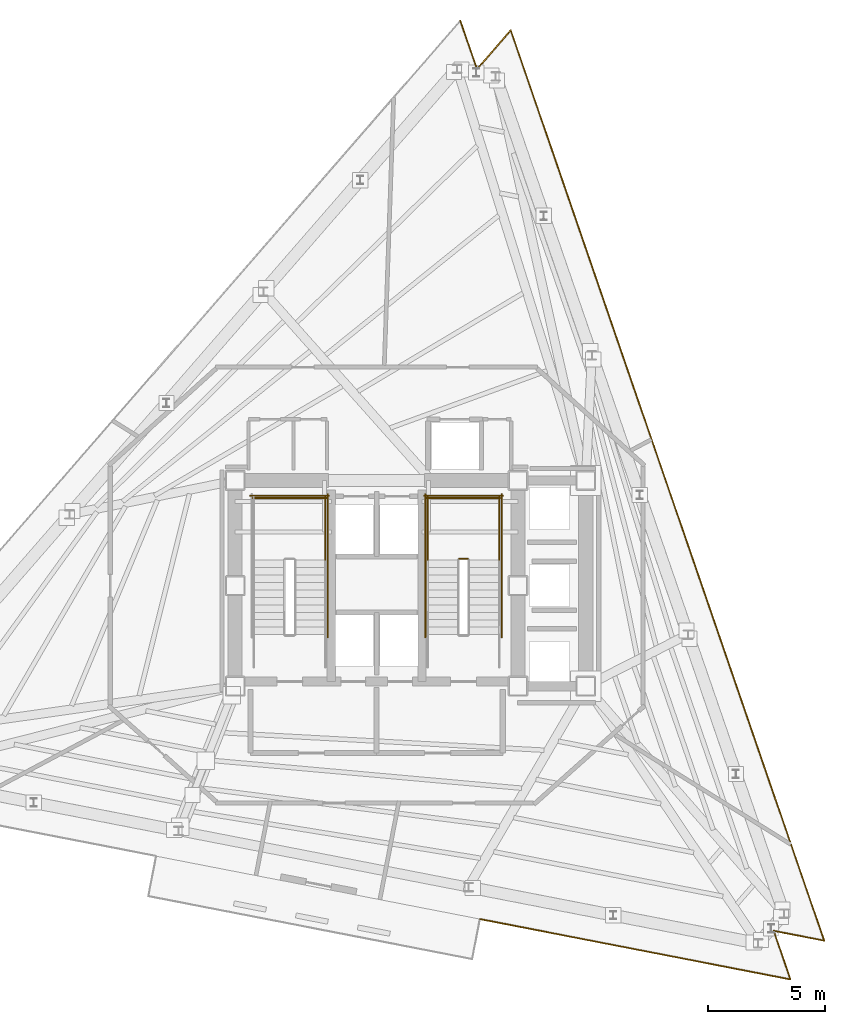
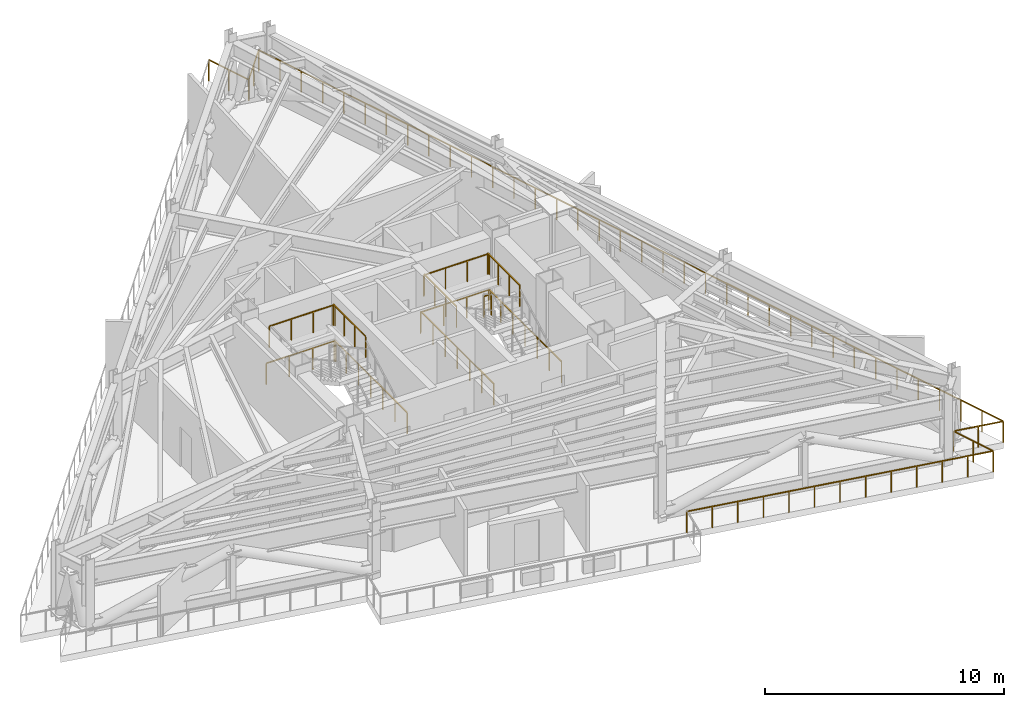
# One storey, part 8 of 8: 17 railings.
"""IFC4 building model written with IfcOpenShell, lengths in metres."""

from ifc_helpers import new_model, si_unit, direction, frame, origin, origin_2d, place, context, subcontext, project, spatial, rectangle, extrude, material, layer, layer_set, type_object, element, save


model = new_model("IFC4")

# Units and contexts
model_context = context("Model", 3, precision=1e-05, world=origin(), true_north=direction((0.0, 1.0)))
body_context = subcontext(model_context, "Body", "Model", "MODEL_VIEW")
ifc_project = project(units=[si_unit("LENGTHUNIT", "METRE"), si_unit("AREAUNIT", "SQUARE_METRE"), si_unit("VOLUMEUNIT", "CUBIC_METRE"), si_unit("PLANEANGLEUNIT", "RADIAN"), si_unit("MASSUNIT", "GRAM", prefix="KILO")], contexts=[model_context])

# Site, building, storey
site_placement = place(None, origin())
site = spatial("IfcSite", under=ifc_project, at=site_placement, CompositionType="ELEMENT")
building_placement = place(site_placement, origin())
building = spatial("IfcBuilding", under=site, at=building_placement, Name="Rocaltana Carrier Exchange", CompositionType="ELEMENT")
storey_placement = place(building_placement, frame((0.0, 0.0, 171.52001953125)))
storey = spatial("IfcBuildingStorey", under=building, at=storey_placement, Name="L54", CompositionType="ELEMENT", Elevation=171.52001953125)

# Railings
ifc_material_1 = material(Name="Powder-Coated Aluminium 6063-T6", Category="aluminium")
ifc_layer_1 = layer(ifc_material_1, 0.048095703125)
ifc_layer_set_1 = layer_set([ifc_layer_1], Name="Powder-Coated Aluminium 6063-T6")
railing_type_1 = type_object("IfcRailingType", Name="Stair Well Guardrail 1100", PredefinedType="GUARDRAIL", material=ifc_layer_set_1)
railing_1_placement = place(storey_placement, frame((-2.18994140625, 1.10009765625, 1.919921875)))
element("IfcRailing", 1, at=railing_1_placement, inside=storey, type_object=railing_type_1, Name="L54 ST-1 stair guard 3", PredefinedType="GUARDRAIL", context=body_context, shape_type="SweptSolid", body=[
    extrude(rectangle(XDim=0.048095703125, YDim=0.048095703125, at=origin_2d()), frame((0.0, 0.0, 1.076171875), z_axis=(0.0, 1.0, 0.0), x_axis=(-1.0, 0.0, 0.0)), (0.0, 0.0, 1.0), 2.699951171875),
    extrude(rectangle(XDim=0.0419921875, YDim=0.0419921875, at=origin_2d()), origin(), (0.0, 0.0, 1.0), 1.052001953125),
    extrude(rectangle(XDim=0.0419921875, YDim=0.0419921875, at=origin_2d()), frame((0.0, 0.89990234375, 0.0)), (0.0, 0.0, 1.0), 1.052001953125),
    extrude(rectangle(XDim=0.0419921875, YDim=0.0419921875, at=origin_2d()), frame((0.0, 1.800048828125, 0.0)), (0.0, 0.0, 1.0), 1.052001953125),
    extrude(rectangle(XDim=0.0419921875, YDim=0.0419921875, at=origin_2d()), frame((0.0, 2.699951171875, 0.0)), (0.0, 0.0, 1.0), 1.052001953125),
])
railing_2_placement = place(storey_placement, frame((-2.139892578125, 3.75, 1.919921875)))
element("IfcRailing", 2, at=railing_2_placement, inside=storey, type_object=railing_type_1, Name="L54 ST-1 stair guard 5", PredefinedType="GUARDRAIL", context=body_context, shape_type="SweptSolid", body=[
    extrude(rectangle(XDim=0.048095703125, YDim=0.048095703125, at=origin_2d()), frame((0.0, 0.0, 1.076171875), z_axis=(-1.0, 0.0, 0.0), x_axis=(0.0, -1.0, 0.0)), (0.0, 0.0, 1.0), 3.16015625),
    extrude(rectangle(XDim=0.0419921875, YDim=0.0419921875, at=origin_2d()), origin(), (0.0, 0.0, 1.0), 1.052001953125),
    extrude(rectangle(XDim=0.0419921875, YDim=0.0419921875, at=origin_2d()), frame((-1.053466796875, 0.0, 0.0)), (0.0, 0.0, 1.0), 1.052001953125),
    extrude(rectangle(XDim=0.0419921875, YDim=0.0419921875, at=origin_2d()), frame((-2.106689453125, 0.0, 0.0)), (0.0, 0.0, 1.0), 1.052001953125),
    extrude(rectangle(XDim=0.0419921875, YDim=0.0419921875, at=origin_2d()), frame((-3.16015625, 0.0, 0.0)), (0.0, 0.0, 1.0), 1.052001953125),
])
railing_3_placement = place(storey_placement, frame((-2.090087890625, -2.199951171875, 0.0)))
element("IfcRailing", 3, at=railing_3_placement, inside=storey, type_object=railing_type_1, Name="L54 ST-1 stair guard 10", PredefinedType="GUARDRAIL", context=body_context, shape_type="SweptSolid", body=[
    extrude(rectangle(XDim=0.048095703125, YDim=0.048095703125, at=origin_2d()), frame((0.0, 0.0, 1.076171875), z_axis=(0.0, 1.0, 0.0), x_axis=(-1.0, 0.0, 0.0)), (0.0, 0.0, 1.0), 6.099853515625),
    extrude(rectangle(XDim=0.0419921875, YDim=0.0419921875, at=origin_2d()), origin(), (0.0, 0.0, 1.0), 1.052001953125),
    extrude(rectangle(XDim=0.0419921875, YDim=0.0419921875, at=origin_2d()), frame((0.0, 1.0166015625, 0.0)), (0.0, 0.0, 1.0), 1.052001953125),
    extrude(rectangle(XDim=0.0419921875, YDim=0.0419921875, at=origin_2d()), frame((0.0, 2.033203125, 0.0)), (0.0, 0.0, 1.0), 1.052001953125),
    extrude(rectangle(XDim=0.0419921875, YDim=0.0419921875, at=origin_2d()), frame((0.0, 3.0498046875, 0.0)), (0.0, 0.0, 1.0), 1.052001953125),
    extrude(rectangle(XDim=0.0419921875, YDim=0.0419921875, at=origin_2d()), frame((0.0, 4.066650390625, 0.0)), (0.0, 0.0, 1.0), 1.052001953125),
    extrude(rectangle(XDim=0.0419921875, YDim=0.0419921875, at=origin_2d()), frame((0.0, 5.083251953125, 0.0)), (0.0, 0.0, 1.0), 1.052001953125),
    extrude(rectangle(XDim=0.0419921875, YDim=0.0419921875, at=origin_2d()), frame((0.0, 6.099853515625, 0.0)), (0.0, 0.0, 1.0), 1.052001953125),
])
railing_4_placement = place(storey_placement, frame((-2.0400390625, 3.85009765625, 0.0)))
element("IfcRailing", 4, at=railing_4_placement, inside=storey, type_object=railing_type_1, Name="L54 ST-1 stair guard 12", PredefinedType="GUARDRAIL", context=body_context, shape_type="SweptSolid", body=[
    extrude(rectangle(XDim=0.048095703125, YDim=0.048095703125, at=origin_2d()), frame((0.0, 0.0, 1.076171875), z_axis=(-1.0, 0.0, 0.0), x_axis=(0.0, -1.0, 0.0)), (0.0, 0.0, 1.0), 3.35986328125),
    extrude(rectangle(XDim=0.0419921875, YDim=0.0419921875, at=origin_2d()), origin(), (0.0, 0.0, 1.0), 1.052001953125),
    extrude(rectangle(XDim=0.0419921875, YDim=0.0419921875, at=origin_2d()), frame((-1.119873046875, 0.0, 0.0)), (0.0, 0.0, 1.0), 1.052001953125),
    extrude(rectangle(XDim=0.0419921875, YDim=0.0419921875, at=origin_2d()), frame((-2.239990234375, 0.0, 0.0)), (0.0, 0.0, 1.0), 1.052001953125),
    extrude(rectangle(XDim=0.0419921875, YDim=0.0419921875, at=origin_2d()), frame((-3.35986328125, 0.0, 0.0)), (0.0, 0.0, 1.0), 1.052001953125),
])
railing_5_placement = place(storey_placement, frame((3.89990234375, 1.14990234375, 1.919921875)))
element("IfcRailing", 5, at=railing_5_placement, inside=storey, type_object=railing_type_1, Name="L54 ST-2 stair guard 2", PredefinedType="GUARDRAIL", context=body_context, shape_type="SweptSolid", body=[
    extrude(rectangle(XDim=0.048095703125, YDim=0.048095703125, at=origin_2d()), frame((0.0, 0.0, 1.076171875), z_axis=(-1.0, 0.0, 0.0), x_axis=(0.0, -1.0, 0.0)), (0.0, 0.0, 1.0), 0.35986328125),
    extrude(rectangle(XDim=0.0419921875, YDim=0.0419921875, at=origin_2d()), origin(), (0.0, 0.0, 1.0), 1.052001953125),
    extrude(rectangle(XDim=0.0419921875, YDim=0.0419921875, at=origin_2d()), frame((-0.35986328125, 0.0, 0.0)), (0.0, 0.0, 1.0), 1.052001953125),
])
for number, where, name in (
    (6, (5.25, 1.10009765625, 1.919921875), "L54 ST-2 stair guard 3"),
    (7, (2.18994140625, 1.10009765625, 1.919921875), "L54 ST-2 stair guard 4"),
):
    element("IfcRailing", number, at=place(storey_placement, frame(where)), inside=storey, type_object=railing_type_1, Name=name, PredefinedType="GUARDRAIL", context=body_context, shape_type="SweptSolid", body=[
        extrude(rectangle(XDim=0.048095703125, YDim=0.048095703125, at=origin_2d()), frame((0.0, 0.0, 1.076171875), z_axis=(0.0, 1.0, 0.0), x_axis=(-1.0, 0.0, 0.0)), (0.0, 0.0, 1.0), 2.699951171875),
        extrude(rectangle(XDim=0.0419921875, YDim=0.0419921875, at=origin_2d()), origin(), (0.0, 0.0, 1.0), 1.052001953125),
        extrude(rectangle(XDim=0.0419921875, YDim=0.0419921875, at=origin_2d()), frame((0.0, 0.89990234375, 0.0)), (0.0, 0.0, 1.0), 1.052001953125),
        extrude(rectangle(XDim=0.0419921875, YDim=0.0419921875, at=origin_2d()), frame((0.0, 1.800048828125, 0.0)), (0.0, 0.0, 1.0), 1.052001953125),
        extrude(rectangle(XDim=0.0419921875, YDim=0.0419921875, at=origin_2d()), frame((0.0, 2.699951171875, 0.0)), (0.0, 0.0, 1.0), 1.052001953125),
    ])
railing_6_placement = place(storey_placement, frame((5.300048828125, 3.75, 1.919921875)))
element("IfcRailing", 8, at=railing_6_placement, inside=storey, type_object=railing_type_1, Name="L54 ST-2 stair guard 5", PredefinedType="GUARDRAIL", context=body_context, shape_type="SweptSolid", body=[
    extrude(rectangle(XDim=0.048095703125, YDim=0.048095703125, at=origin_2d()), frame((0.0, 0.0, 1.076171875), z_axis=(-1.0, 0.0, 0.0), x_axis=(0.0, -1.0, 0.0)), (0.0, 0.0, 1.0), 3.16015625),
    extrude(rectangle(XDim=0.0419921875, YDim=0.0419921875, at=origin_2d()), origin(), (0.0, 0.0, 1.0), 1.052001953125),
    extrude(rectangle(XDim=0.0419921875, YDim=0.0419921875, at=origin_2d()), frame((-1.053466796875, 0.0, 0.0)), (0.0, 0.0, 1.0), 1.052001953125),
    extrude(rectangle(XDim=0.0419921875, YDim=0.0419921875, at=origin_2d()), frame((-2.106689453125, 0.0, 0.0)), (0.0, 0.0, 1.0), 1.052001953125),
    extrude(rectangle(XDim=0.0419921875, YDim=0.0419921875, at=origin_2d()), frame((-3.16015625, 0.0, 0.0)), (0.0, 0.0, 1.0), 1.052001953125),
])
for number, where, name in (
    (9, (5.35009765625, -2.199951171875, 0.0), "L54 ST-2 stair guard 10"),
    (10, (2.090087890625, -2.199951171875, 0.0), "L54 ST-2 stair guard 11"),
):
    element("IfcRailing", number, at=place(storey_placement, frame(where)), inside=storey, type_object=railing_type_1, Name=name, PredefinedType="GUARDRAIL", context=body_context, shape_type="SweptSolid", body=[
        extrude(rectangle(XDim=0.048095703125, YDim=0.048095703125, at=origin_2d()), frame((0.0, 0.0, 1.076171875), z_axis=(0.0, 1.0, 0.0), x_axis=(-1.0, 0.0, 0.0)), (0.0, 0.0, 1.0), 6.099853515625),
        extrude(rectangle(XDim=0.0419921875, YDim=0.0419921875, at=origin_2d()), origin(), (0.0, 0.0, 1.0), 1.052001953125),
        extrude(rectangle(XDim=0.0419921875, YDim=0.0419921875, at=origin_2d()), frame((0.0, 1.0166015625, 0.0)), (0.0, 0.0, 1.0), 1.052001953125),
        extrude(rectangle(XDim=0.0419921875, YDim=0.0419921875, at=origin_2d()), frame((0.0, 2.033203125, 0.0)), (0.0, 0.0, 1.0), 1.052001953125),
        extrude(rectangle(XDim=0.0419921875, YDim=0.0419921875, at=origin_2d()), frame((0.0, 3.0498046875, 0.0)), (0.0, 0.0, 1.0), 1.052001953125),
        extrude(rectangle(XDim=0.0419921875, YDim=0.0419921875, at=origin_2d()), frame((0.0, 4.066650390625, 0.0)), (0.0, 0.0, 1.0), 1.052001953125),
        extrude(rectangle(XDim=0.0419921875, YDim=0.0419921875, at=origin_2d()), frame((0.0, 5.083251953125, 0.0)), (0.0, 0.0, 1.0), 1.052001953125),
        extrude(rectangle(XDim=0.0419921875, YDim=0.0419921875, at=origin_2d()), frame((0.0, 6.099853515625, 0.0)), (0.0, 0.0, 1.0), 1.052001953125),
    ])
railing_7_placement = place(storey_placement, frame((5.39990234375, 3.85009765625, 0.0)))
element("IfcRailing", 11, at=railing_7_placement, inside=storey, type_object=railing_type_1, Name="L54 ST-2 stair guard 12", PredefinedType="GUARDRAIL", context=body_context, shape_type="SweptSolid", body=[
    extrude(rectangle(XDim=0.048095703125, YDim=0.048095703125, at=origin_2d()), frame((0.0, 0.0, 1.076171875), z_axis=(-1.0, 0.0, 0.0), x_axis=(0.0, -1.0, 0.0)), (0.0, 0.0, 1.0), 3.35986328125),
    extrude(rectangle(XDim=0.0419921875, YDim=0.0419921875, at=origin_2d()), origin(), (0.0, 0.0, 1.0), 1.052001953125),
    extrude(rectangle(XDim=0.0419921875, YDim=0.0419921875, at=origin_2d()), frame((-1.119873046875, 0.0, 0.0)), (0.0, 0.0, 1.0), 1.052001953125),
    extrude(rectangle(XDim=0.0419921875, YDim=0.0419921875, at=origin_2d()), frame((-2.239990234375, 0.0, 0.0)), (0.0, 0.0, 1.0), 1.052001953125),
    extrude(rectangle(XDim=0.0419921875, YDim=0.0419921875, at=origin_2d()), frame((-3.35986328125, 0.0, 0.0)), (0.0, 0.0, 1.0), 1.052001953125),
])
ifc_material_2 = material(Name="Powder-Coated Aluminium 6063-T6", Category="aluminium")
ifc_layer_2 = layer(ifc_material_2, 0.06005859375)
ifc_layer_set_2 = layer_set([ifc_layer_2], Name="Powder-Coated Aluminium 6063-T6")
railing_type_2 = type_object("IfcRailingType", Name="Wind-Floor & Terrace Perimeter Guardrail 1100", PredefinedType="GUARDRAIL", material=ifc_layer_set_2)
railing_8_placement = place(storey_placement, frame((17.709716796875, -16.852294921875, 0.0)))
element("IfcRailing", 12, at=railing_8_placement, inside=storey, type_object=railing_type_2, Name="L54 Wind Perimeter Guardrail 1", PredefinedType="GUARDRAIL", context=body_context, shape_type="SweptSolid", body=[
    extrude(rectangle(XDim=0.048095703125, YDim=0.048095703125, at=origin_2d()), frame((0.0, 0.0, 1.076171875), z_axis=(-0.325600768791, 0.945507344955, 0.0), x_axis=(-0.945507344955, -0.325600768791, 0.0)), (0.0, 0.0, 1.0), 2.199951171875),
    extrude(rectangle(XDim=0.0419921875, YDim=0.0419921875, at=origin_2d()), origin(), (0.0, 0.0, 1.0), 1.052001953125),
    extrude(rectangle(XDim=0.0419921875, YDim=0.0419921875, at=origin_2d()), frame((-0.358154296875, 1.0400390625, 0.0)), (0.0, 0.0, 1.0), 1.052001953125),
    extrude(rectangle(XDim=0.0419921875, YDim=0.0419921875, at=origin_2d()), frame((-0.71630859375, 2.080078125, 0.0)), (0.0, 0.0, 1.0), 1.052001953125),
])
railing_9_placement = place(storey_placement, frame((16.993408203125, -14.772216796875, 0.0)))
element("IfcRailing", 13, at=railing_9_placement, inside=storey, type_object=railing_type_2, Name="L54 Wind Perimeter Guardrail 2", PredefinedType="GUARDRAIL", context=body_context, shape_type="SweptSolid", body=[
    extrude(rectangle(XDim=0.048095703125, YDim=0.048095703125, at=origin_2d()), frame((0.0, 0.0, 1.076171875), z_axis=(0.981637329589, -0.190756790591, 0.0), x_axis=(0.190756790591, 0.981637329589, 0.0)), (0.0, 0.0, 1.0), 2.199951171875),
    extrude(rectangle(XDim=0.0419921875, YDim=0.0419921875, at=origin_2d()), origin(), (0.0, 0.0, 1.0), 1.052001953125),
    extrude(rectangle(XDim=0.0419921875, YDim=0.0419921875, at=origin_2d()), frame((1.079833984375, -0.2099609375, 0.0)), (0.0, 0.0, 1.0), 1.052001953125),
    extrude(rectangle(XDim=0.0419921875, YDim=0.0419921875, at=origin_2d()), frame((2.15966796875, -0.419677734375, 0.0)), (0.0, 0.0, 1.0), 1.052001953125),
])
railing_10_placement = place(storey_placement, frame((19.153076171875, -15.19189453125, 0.0)))
element("IfcRailing", 14, at=railing_10_placement, inside=storey, type_object=railing_type_2, Name="L54 Wind Perimeter Guardrail 3", PredefinedType="GUARDRAIL", context=body_context, shape_type="SweptSolid", body=[
    extrude(rectangle(XDim=0.048095703125, YDim=0.048095703125, at=origin_2d()), frame((0.0, 0.0, 1.076171875), z_axis=(-0.325568610182, 0.94551841868, 0.0), x_axis=(-0.94551841868, -0.325568610182, 0.0)), (0.0, 0.0, 1.0), 41.19970703125),
    extrude(rectangle(XDim=0.0419921875, YDim=0.0419921875, at=origin_2d()), origin(), (0.0, 0.0, 1.0), 1.052001953125),
    extrude(rectangle(XDim=0.0419921875, YDim=0.0419921875, at=origin_2d()), frame((-0.38330078125, 1.113037109375, 0.0)), (0.0, 0.0, 1.0), 1.052001953125),
    extrude(rectangle(XDim=0.0419921875, YDim=0.0419921875, at=origin_2d()), frame((-0.766357421875, 2.22607421875, 0.0)), (0.0, 0.0, 1.0), 1.052001953125),
    extrude(rectangle(XDim=0.0419921875, YDim=0.0419921875, at=origin_2d()), frame((-1.149658203125, 3.339111328125, 0.0)), (0.0, 0.0, 1.0), 1.052001953125),
    extrude(rectangle(XDim=0.0419921875, YDim=0.0419921875, at=origin_2d()), frame((-1.532958984375, 4.451904296875, 0.0)), (0.0, 0.0, 1.0), 1.052001953125),
    extrude(rectangle(XDim=0.0419921875, YDim=0.0419921875, at=origin_2d()), frame((-1.916259765625, 5.56494140625, 0.0)), (0.0, 0.0, 1.0), 1.052001953125),
    extrude(rectangle(XDim=0.0419921875, YDim=0.0419921875, at=origin_2d()), frame((-2.29931640625, 6.677978515625, 0.0)), (0.0, 0.0, 1.0), 1.052001953125),
    extrude(rectangle(XDim=0.0419921875, YDim=0.0419921875, at=origin_2d()), frame((-2.6826171875, 7.791015625, 0.0)), (0.0, 0.0, 1.0), 1.052001953125),
    extrude(rectangle(XDim=0.0419921875, YDim=0.0419921875, at=origin_2d()), frame((-3.06591796875, 8.904052734375, 0.0)), (0.0, 0.0, 1.0), 1.052001953125),
    extrude(rectangle(XDim=0.0419921875, YDim=0.0419921875, at=origin_2d()), frame((-3.44921875, 10.01708984375, 0.0)), (0.0, 0.0, 1.0), 1.052001953125),
    extrude(rectangle(XDim=0.0419921875, YDim=0.0419921875, at=origin_2d()), frame((-3.832275390625, 11.130126953125, 0.0)), (0.0, 0.0, 1.0), 1.052001953125),
    extrude(rectangle(XDim=0.0419921875, YDim=0.0419921875, at=origin_2d()), frame((-4.215576171875, 12.242919921875, 0.0)), (0.0, 0.0, 1.0), 1.052001953125),
    extrude(rectangle(XDim=0.0419921875, YDim=0.0419921875, at=origin_2d()), frame((-4.598876953125, 13.35595703125, 0.0)), (0.0, 0.0, 1.0), 1.052001953125),
    extrude(rectangle(XDim=0.0419921875, YDim=0.0419921875, at=origin_2d()), frame((-4.982177734375, 14.468994140625, 0.0)), (0.0, 0.0, 1.0), 1.052001953125),
    extrude(rectangle(XDim=0.0419921875, YDim=0.0419921875, at=origin_2d()), frame((-5.365234375, 15.58203125, 0.0)), (0.0, 0.0, 1.0), 1.052001953125),
    extrude(rectangle(XDim=0.0419921875, YDim=0.0419921875, at=origin_2d()), frame((-5.74853515625, 16.695068359375, 0.0)), (0.0, 0.0, 1.0), 1.052001953125),
    extrude(rectangle(XDim=0.0419921875, YDim=0.0419921875, at=origin_2d()), frame((-6.1318359375, 17.80810546875, 0.0)), (0.0, 0.0, 1.0), 1.052001953125),
    extrude(rectangle(XDim=0.0419921875, YDim=0.0419921875, at=origin_2d()), frame((-6.51513671875, 18.921142578125, 0.0)), (0.0, 0.0, 1.0), 1.052001953125),
    extrude(rectangle(XDim=0.0419921875, YDim=0.0419921875, at=origin_2d()), frame((-6.898193359375, 20.033935546875, 0.0)), (0.0, 0.0, 1.0), 1.052001953125),
    extrude(rectangle(XDim=0.0419921875, YDim=0.0419921875, at=origin_2d()), frame((-7.281494140625, 21.14697265625, 0.0)), (0.0, 0.0, 1.0), 1.052001953125),
    extrude(rectangle(XDim=0.0419921875, YDim=0.0419921875, at=origin_2d()), frame((-7.664794921875, 22.260009765625, 0.0)), (0.0, 0.0, 1.0), 1.052001953125),
    extrude(rectangle(XDim=0.0419921875, YDim=0.0419921875, at=origin_2d()), frame((-8.048095703125, 23.373046875, 0.0)), (0.0, 0.0, 1.0), 1.052001953125),
    extrude(rectangle(XDim=0.0419921875, YDim=0.0419921875, at=origin_2d()), frame((-8.43115234375, 24.486083984375, 0.0)), (0.0, 0.0, 1.0), 1.052001953125),
    extrude(rectangle(XDim=0.0419921875, YDim=0.0419921875, at=origin_2d()), frame((-8.814453125, 25.59912109375, 0.0)), (0.0, 0.0, 1.0), 1.052001953125),
    extrude(rectangle(XDim=0.0419921875, YDim=0.0419921875, at=origin_2d()), frame((-9.19775390625, 26.712158203125, 0.0)), (0.0, 0.0, 1.0), 1.052001953125),
    extrude(rectangle(XDim=0.0419921875, YDim=0.0419921875, at=origin_2d()), frame((-9.5810546875, 27.824951171875, 0.0)), (0.0, 0.0, 1.0), 1.052001953125),
    extrude(rectangle(XDim=0.0419921875, YDim=0.0419921875, at=origin_2d()), frame((-9.964111328125, 28.93798828125, 0.0)), (0.0, 0.0, 1.0), 1.052001953125),
    extrude(rectangle(XDim=0.0419921875, YDim=0.0419921875, at=origin_2d()), frame((-10.347412109375, 30.051025390625, 0.0)), (0.0, 0.0, 1.0), 1.052001953125),
    extrude(rectangle(XDim=0.0419921875, YDim=0.0419921875, at=origin_2d()), frame((-10.730712890625, 31.1640625, 0.0)), (0.0, 0.0, 1.0), 1.052001953125),
    extrude(rectangle(XDim=0.0419921875, YDim=0.0419921875, at=origin_2d()), frame((-11.114013671875, 32.277099609375, 0.0)), (0.0, 0.0, 1.0), 1.052001953125),
    extrude(rectangle(XDim=0.0419921875, YDim=0.0419921875, at=origin_2d()), frame((-11.4970703125, 33.39013671875, 0.0)), (0.0, 0.0, 1.0), 1.052001953125),
    extrude(rectangle(XDim=0.0419921875, YDim=0.0419921875, at=origin_2d()), frame((-11.88037109375, 34.503173828125, 0.0)), (0.0, 0.0, 1.0), 1.052001953125),
    extrude(rectangle(XDim=0.0419921875, YDim=0.0419921875, at=origin_2d()), frame((-12.263671875, 35.615966796875, 0.0)), (0.0, 0.0, 1.0), 1.052001953125),
    extrude(rectangle(XDim=0.0419921875, YDim=0.0419921875, at=origin_2d()), frame((-12.64697265625, 36.72900390625, 0.0)), (0.0, 0.0, 1.0), 1.052001953125),
    extrude(rectangle(XDim=0.0419921875, YDim=0.0419921875, at=origin_2d()), frame((-13.030029296875, 37.842041015625, 0.0)), (0.0, 0.0, 1.0), 1.052001953125),
    extrude(rectangle(XDim=0.0419921875, YDim=0.0419921875, at=origin_2d()), frame((-13.413330078125, 38.955078125, 0.0)), (0.0, 0.0, 1.0), 1.052001953125),
])
railing_11_placement = place(storey_placement, frame((5.73974609375, 23.76318359375, 0.0)))
element("IfcRailing", 15, at=railing_11_placement, inside=storey, type_object=railing_type_2, Name="L54 Wind Perimeter Guardrail 4", PredefinedType="GUARDRAIL", context=body_context, shape_type="SweptSolid", body=[
    extrude(rectangle(XDim=0.048095703125, YDim=0.048095703125, at=origin_2d()), frame((0.0, 0.0, 1.076171875), z_axis=(-0.656112769613, -0.754662860853, 0.0), x_axis=(0.754662860853, -0.656112769613, 0.0)), (0.0, 0.0, 1.0), 2.199951171875),
    extrude(rectangle(XDim=0.0419921875, YDim=0.0419921875, at=origin_2d()), origin(), (0.0, 0.0, 1.0), 1.052001953125),
    extrude(rectangle(XDim=0.0419921875, YDim=0.0419921875, at=origin_2d()), frame((-0.7216796875, -0.830078125, 0.0)), (0.0, 0.0, 1.0), 1.052001953125),
    extrude(rectangle(XDim=0.0419921875, YDim=0.0419921875, at=origin_2d()), frame((-1.443359375, -1.66015625, 0.0)), (0.0, 0.0, 1.0), 1.052001953125),
])
railing_12_placement = place(storey_placement, frame((4.29638671875, 22.10302734375, 0.0)))
element("IfcRailing", 16, at=railing_12_placement, inside=storey, type_object=railing_type_2, Name="L54 Wind Perimeter Guardrail 5", PredefinedType="GUARDRAIL", context=body_context, shape_type="SweptSolid", body=[
    extrude(rectangle(XDim=0.048095703125, YDim=0.048095703125, at=origin_2d()), frame((0.0, 0.0, 1.076171875), z_axis=(-0.325600768791, 0.945507344955, 0.0), x_axis=(-0.945507344955, -0.325600768791, 0.0)), (0.0, 0.0, 1.0), 2.199951171875),
    extrude(rectangle(XDim=0.0419921875, YDim=0.0419921875, at=origin_2d()), origin(), (0.0, 0.0, 1.0), 1.052001953125),
    extrude(rectangle(XDim=0.0419921875, YDim=0.0419921875, at=origin_2d()), frame((-0.358154296875, 1.0400390625, 0.0)), (0.0, 0.0, 1.0), 1.052001953125),
    extrude(rectangle(XDim=0.0419921875, YDim=0.0419921875, at=origin_2d()), frame((-0.71630859375, 2.080078125, 0.0)), (0.0, 0.0, 1.0), 1.052001953125),
])
railing_13_placement = place(storey_placement, frame((4.425048828125, -14.27001953125, 0.0)))
element("IfcRailing", 17, at=railing_13_placement, inside=storey, type_object=railing_type_2, Name="L54 Wind Perimeter Guardrail 9B", PredefinedType="GUARDRAIL", context=body_context, shape_type="SweptSolid", body=[
    extrude(rectangle(XDim=0.048095703125, YDim=0.048095703125, at=origin_2d()), frame((0.0, 0.0, 1.076171875), z_axis=(0.981627217715, -0.190808819086, 0.0), x_axis=(0.190808819086, 0.981627217715, 0.0)), (0.0, 0.0, 1.0), 13.533203125),
    extrude(rectangle(XDim=0.0419921875, YDim=0.0419921875, at=origin_2d()), origin(), (0.0, 0.0, 1.0), 1.052001953125),
    extrude(rectangle(XDim=0.0419921875, YDim=0.0419921875, at=origin_2d()), frame((1.10693359375, -0.215087890625, 0.0)), (0.0, 0.0, 1.0), 1.052001953125),
    extrude(rectangle(XDim=0.0419921875, YDim=0.0419921875, at=origin_2d()), frame((2.214111328125, -0.430419921875, 0.0)), (0.0, 0.0, 1.0), 1.052001953125),
    extrude(rectangle(XDim=0.0419921875, YDim=0.0419921875, at=origin_2d()), frame((3.3212890625, -0.6455078125, 0.0)), (0.0, 0.0, 1.0), 1.052001953125),
    extrude(rectangle(XDim=0.0419921875, YDim=0.0419921875, at=origin_2d()), frame((4.42822265625, -0.86083984375, 0.0)), (0.0, 0.0, 1.0), 1.052001953125),
    extrude(rectangle(XDim=0.0419921875, YDim=0.0419921875, at=origin_2d()), frame((5.53515625, -1.075927734375, 0.0)), (0.0, 0.0, 1.0), 1.052001953125),
    extrude(rectangle(XDim=0.0419921875, YDim=0.0419921875, at=origin_2d()), frame((6.642333984375, -1.291015625, 0.0)), (0.0, 0.0, 1.0), 1.052001953125),
    extrude(rectangle(XDim=0.0419921875, YDim=0.0419921875, at=origin_2d()), frame((7.74951171875, -1.50634765625, 0.0)), (0.0, 0.0, 1.0), 1.052001953125),
    extrude(rectangle(XDim=0.0419921875, YDim=0.0419921875, at=origin_2d()), frame((8.8564453125, -1.721435546875, 0.0)), (0.0, 0.0, 1.0), 1.052001953125),
    extrude(rectangle(XDim=0.0419921875, YDim=0.0419921875, at=origin_2d()), frame((9.96337890625, -1.936767578125, 0.0)), (0.0, 0.0, 1.0), 1.052001953125),
    extrude(rectangle(XDim=0.0419921875, YDim=0.0419921875, at=origin_2d()), frame((11.070556640625, -2.15185546875, 0.0)), (0.0, 0.0, 1.0), 1.052001953125),
    extrude(rectangle(XDim=0.0419921875, YDim=0.0419921875, at=origin_2d()), frame((12.177734375, -2.3671875, 0.0)), (0.0, 0.0, 1.0), 1.052001953125),
    extrude(rectangle(XDim=0.0419921875, YDim=0.0419921875, at=origin_2d()), frame((13.28466796875, -2.582275390625, 0.0)), (0.0, 0.0, 1.0), 1.052001953125),
])

save(model, "model.ifc")
